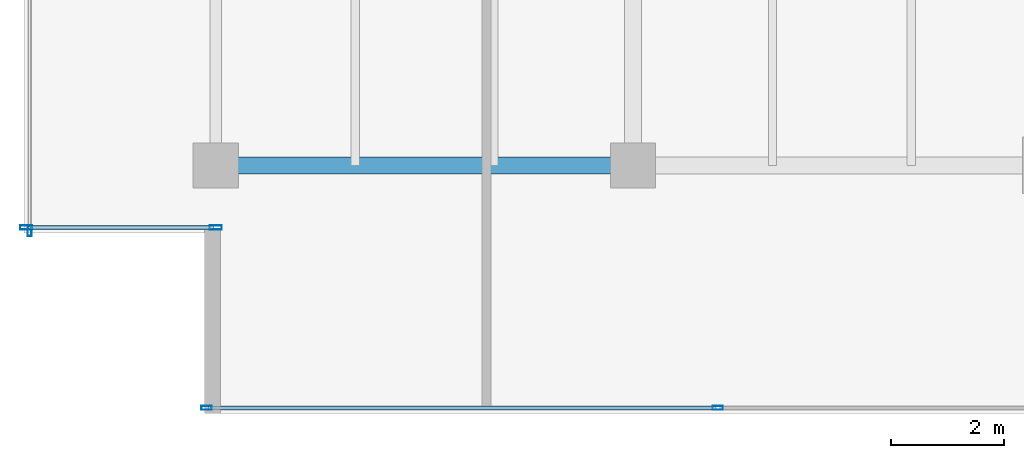
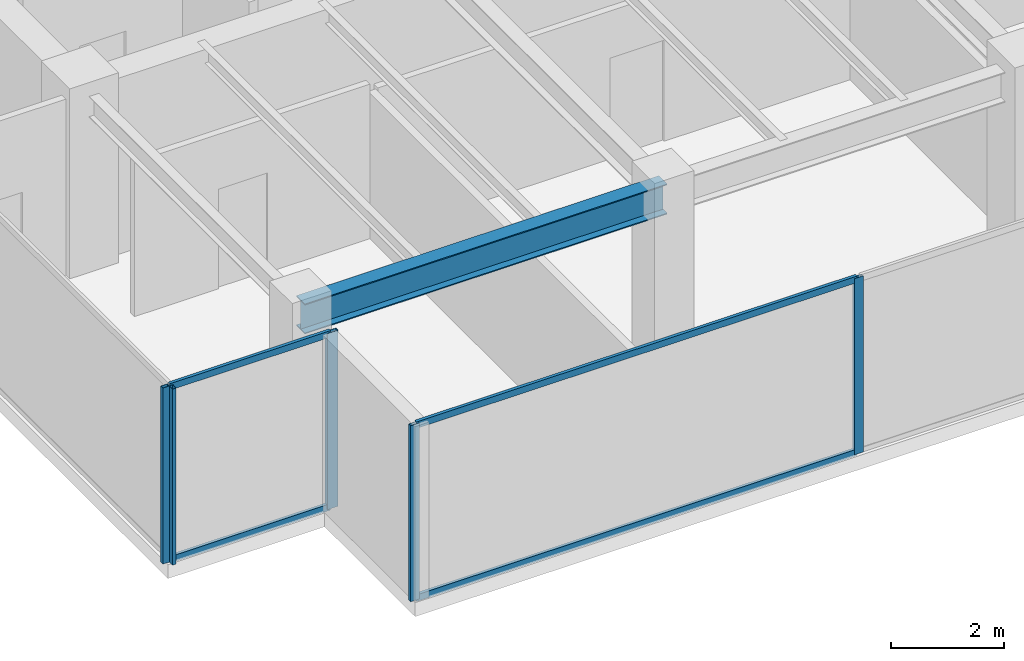
# One storey, part 5 of 33: 9 members, 1 beam, 3 elements without a shape of their own.
"""IFC4 building model written with IfcOpenShell, lengths in metres."""

from ifc_helpers import new_model, si_unit, direction, frame, origin, origin_2d, place, context, subcontext, project, spatial, hollow_rectangle, i_section, extrude, source, transform, mapped, material, layer, layer_set, material_profile, profile_set, type_object, type_shapes, element, aggregate, save


model = new_model("IFC4")

# Units and contexts
model_context = context("Model", 3, precision=1e-05, world=origin(), true_north=direction((0.0, 1.0)))
body_context = subcontext(model_context, "Body", "Model", "MODEL_VIEW")
ifc_project = project(units=[si_unit("LENGTHUNIT", "METRE"), si_unit("AREAUNIT", "SQUARE_METRE"), si_unit("VOLUMEUNIT", "CUBIC_METRE"), si_unit("PLANEANGLEUNIT", "RADIAN"), si_unit("MASSUNIT", "GRAM", prefix="KILO")], contexts=[model_context])

# Site, building, storey
site_placement = place(None, origin())
site = spatial("IfcSite", under=ifc_project, at=site_placement, CompositionType="ELEMENT")
building_placement = place(site_placement, origin())
building = spatial("IfcBuilding", under=site, at=building_placement, Name="Haelvirn Gate Laboratories", CompositionType="ELEMENT")
storey_placement = place(building_placement, frame((0.0, 0.0, 209.60009765625)))
storey = spatial("IfcBuildingStorey", under=building, at=storey_placement, Name="L50", CompositionType="ELEMENT", Elevation=209.60009765625)

# Beam
ifc_material_1 = material(Name="Steel SM355", Category="steel")
ifc_material_profile_1 = material_profile(ifc_material_1, i_section(OverallWidth=0.300048828125, OverallDepth=0.64990234375, WebThickness=0.012939453125, FlangeThickness=0.02197265625, at=origin_2d()), Name="H-650x300x13x22")
ifc_profile_set_1 = profile_set([ifc_material_profile_1], Name="Steel SM355")
beam_type = type_object("IfcBeamType", Name="BM-G-650", PredefinedType="BEAM", material=ifc_profile_set_1)
shared_shape_1 = source(origin(), body_context, "Body", "SweptSolid", [
    extrude(i_section(OverallWidth=0.300048828125, OverallDepth=0.64990234375, WebThickness=0.012939453125, FlangeThickness=0.02197265625, at=origin_2d()), origin(), (0.0, 0.0, 1.0), 7.400146484375),
])
type_shapes(beam_type, [shared_shape_1])
beam_placement = place(storey_placement, frame((7.39990234375, 7.0, 3.474853515625), z_axis=(1.0, 0.0, 0.0), x_axis=(0.0, 1.0, 0.0)))
element("IfcBeam", 1, at=beam_placement, inside=storey, type_object=beam_type, Name="L50 Primary Girder Y7.0 (7.4-14.8)", PredefinedType="BEAM", context=body_context, shape_type="MappedRepresentation", body=[
    mapped(shared_shape_1, transform((0.0, 0.0, 0.0), scale=1.0)),
])

# Curtain wall, members
ifc_material_2 = material(Name="Anodised bronze unitised aluminium & triple low-E glass", Category="aluminium")
ifc_layer_1 = layer(ifc_material_2, 0.181884765625, Name="CW-SYS-5")
ifc_layer_set_1 = layer_set([ifc_layer_1], Name="Anodised bronze unitised aluminium & triple low-E glass")
curtain_wall_type_1 = type_object("IfcCurtainWallType", Name="CW-SYS-5", PredefinedType="NOTDEFINED", material=ifc_layer_set_1)
curtain_wall_1_placement = place(storey_placement, origin())
curtain_wall_1 = element("IfcCurtainWall", 2, at=curtain_wall_1_placement, inside=storey, type_object=curtain_wall_type_1, Name="L50 Unitised Curtain Wall CW-L50-P0-E18-1", PredefinedType="NOTDEFINED")
ifc_material_3 = material(Name="Extruded aluminium 6063-T6 (anodised bronze)", Category="aluminium")
ifc_material_profile_2 = material_profile(ifc_material_3, hollow_rectangle(XDim=0.06494140625, YDim=0.139892578125, WallThickness=0.00390625, at=origin_2d()), Name="CWT-140x65x4")
ifc_profile_set_2 = profile_set([ifc_material_profile_2], Name="Extruded aluminium 6063-T6 (anodised bronze)")
member_type_1 = type_object("IfcMemberType", Name="CWT-T140", PredefinedType="USERDEFINED", material=ifc_profile_set_2)
shared_shape_2 = source(origin(), body_context, "Body", "SweptSolid", [
    extrude(hollow_rectangle(XDim=0.06494140625, YDim=0.139892578125, WallThickness=0.00390625, at=origin_2d()), origin(), (0.0, 0.0, 1.0), 3.280029296875),
])
member_1_placement = place(storey_placement, frame((4.080078125, 5.89990234375, 0.032470703125), z_axis=(1.0, 0.0, 0.0), x_axis=(0.0, 1.0, 0.0)))
member_1 = element("IfcMember", 3, at=member_1_placement, type_object=member_type_1, Name="CW5 transom 1.1", ObjectType="TRANSOM", PredefinedType="USERDEFINED", context=body_context, shape_type="MappedRepresentation", body=[
    mapped(shared_shape_2, transform((0.0, 0.0, 0.0), scale=1.0)),
])
member_2_placement = place(storey_placement, frame((4.080078125, 5.89990234375, 3.767333984375), z_axis=(1.0, 0.0, 0.0), x_axis=(0.0, 1.0, 0.0)))
member_2 = element("IfcMember", 4, at=member_2_placement, type_object=member_type_1, Name="CW5 transom 1.2", ObjectType="TRANSOM", PredefinedType="USERDEFINED", context=body_context, shape_type="MappedRepresentation", body=[
    mapped(shared_shape_2, transform((0.0, 0.0, 0.0), scale=1.0)),
])

ifc_layer_2 = layer(ifc_material_2, 0.176025390625, Name="CW-SYS-4")
ifc_layer_set_2 = layer_set([ifc_layer_2], Name="Anodised bronze unitised aluminium & triple low-E glass")
curtain_wall_type_2 = type_object("IfcCurtainWallType", Name="CW-SYS-4", PredefinedType="NOTDEFINED", material=ifc_layer_set_2)
curtain_wall_2_placement = place(storey_placement, origin())
curtain_wall_2 = element("IfcCurtainWall", 5, at=curtain_wall_2_placement, inside=storey, type_object=curtain_wall_type_2, Name="L50 Unitised Curtain Wall CW-L50-P0-E00-1", PredefinedType="NOTDEFINED")
shared_shape_3 = source(origin(), body_context, "Body", "SweptSolid", [
    extrude(hollow_rectangle(XDim=0.06494140625, YDim=0.139892578125, WallThickness=0.00390625, at=origin_2d()), origin(), (0.0, 0.0, 1.0), 8.994873046875),
])
type_shapes(member_type_1, [shared_shape_2, shared_shape_3])
member_3_placement = place(storey_placement, frame((7.27001953125, 2.699951171875, 0.032470703125), z_axis=(1.0, 0.0, 0.0), x_axis=(0.0, 1.0, 0.0)))
member_3 = element("IfcMember", 6, at=member_3_placement, type_object=member_type_1, Name="CW4 transom 1.1", ObjectType="TRANSOM", PredefinedType="USERDEFINED", context=body_context, shape_type="MappedRepresentation", body=[
    mapped(shared_shape_3, transform((0.0, 0.0, 0.0), scale=1.0)),
])
member_4_placement = place(storey_placement, frame((7.27001953125, 2.699951171875, 3.767333984375), z_axis=(1.0, 0.0, 0.0), x_axis=(0.0, 1.0, 0.0)))
member_4 = element("IfcMember", 7, at=member_4_placement, type_object=member_type_1, Name="CW4 transom 1.2", ObjectType="TRANSOM", PredefinedType="USERDEFINED", context=body_context, shape_type="MappedRepresentation", body=[
    mapped(shared_shape_3, transform((0.0, 0.0, 0.0), scale=1.0)),
])
ifc_material_profile_3 = material_profile(ifc_material_3, hollow_rectangle(XDim=0.070068359375, YDim=0.179931640625, WallThickness=0.0048828125, at=origin_2d()), Name="CWM-180x70x5")
ifc_profile_set_3 = profile_set([ifc_material_profile_3], Name="Extruded aluminium 6063-T6 (anodised bronze)")
member_type_2 = type_object("IfcMemberType", Name="CWM-T180", PredefinedType="MULLION", material=ifc_profile_set_3)
shared_shape_4 = source(origin(), body_context, "Body", "SweptSolid", [
    extrude(hollow_rectangle(XDim=0.070068359375, YDim=0.179931640625, WallThickness=0.0048828125, at=origin_2d()), origin(), (0.0, 0.0, 1.0), 3.7998046875),
])
type_shapes(member_type_2, [shared_shape_4])
member_5_placement = place(storey_placement, frame((7.235107421875, 2.699951171875, 0.0), z_axis=(0.0, 0.0, 1.0), x_axis=(0.0, 1.0, 0.0)))
member_5 = element("IfcMember", 8, at=member_5_placement, type_object=member_type_2, Name="CW4 mullion 1", PredefinedType="MULLION", context=body_context, shape_type="MappedRepresentation", body=[
    mapped(shared_shape_4, transform((0.0, 0.0, 0.0), scale=1.0)),
])
member_6_placement = place(storey_placement, frame((16.300048828125, 2.699951171875, 0.0), z_axis=(0.0, 0.0, 1.0), x_axis=(0.0, 1.0, 0.0)))
member_6 = element("IfcMember", 9, at=member_6_placement, type_object=member_type_2, Name="CW4 mullion 2", PredefinedType="MULLION", context=body_context, shape_type="MappedRepresentation", body=[
    mapped(shared_shape_4, transform((0.0, 0.0, 0.0), scale=1.0)),
])
aggregate(curtain_wall_2, [member_5, member_6, member_3, member_4])

# Curtain wall, member
curtain_wall_3_placement = place(storey_placement, origin())
curtain_wall_3 = element("IfcCurtainWall", 10, at=curtain_wall_3_placement, inside=storey, type_object=curtain_wall_type_2, Name="L50 Unitised Curtain Wall CW-L50-P0-E17", PredefinedType="NOTDEFINED")
member_7_placement = place(storey_placement, frame((4.10009765625, 5.8349609375, 0.0), z_axis=(0.0, 0.0, 1.0), x_axis=(1.0, 0.0, 0.0)))
member_7 = element("IfcMember", 11, at=member_7_placement, type_object=member_type_2, Name="CW4 mullion 3", PredefinedType="MULLION", context=body_context, shape_type="MappedRepresentation", body=[
    mapped(shared_shape_4, transform((0.0, 0.0, 0.0), scale=1.0)),
])
aggregate(curtain_wall_3, [member_7])

# Member
ifc_material_profile_4 = material_profile(ifc_material_3, hollow_rectangle(XDim=0.080078125, YDim=0.219970703125, WallThickness=0.006103515625, at=origin_2d()), Name="CWM-220x80x6")
ifc_profile_set_4 = profile_set([ifc_material_profile_4], Name="Extruded aluminium 6063-T6 (anodised bronze)")
member_type_3 = type_object("IfcMemberType", Name="CWM-T220", PredefinedType="MULLION", material=ifc_profile_set_4)
shared_shape_5 = source(origin(), body_context, "Body", "SweptSolid", [
    extrude(hollow_rectangle(XDim=0.080078125, YDim=0.219970703125, WallThickness=0.006103515625, at=origin_2d()), origin(), (0.0, 0.0, 1.0), 3.7998046875),
])
type_shapes(member_type_3, [shared_shape_5])
member_8_placement = place(storey_placement, frame((4.0400390625, 5.89990234375, 0.0), z_axis=(0.0, 0.0, 1.0), x_axis=(0.0, 1.0, 0.0)))
member_8 = element("IfcMember", 12, at=member_8_placement, type_object=member_type_3, Name="CW5 mullion 1", PredefinedType="MULLION", context=body_context, shape_type="MappedRepresentation", body=[
    mapped(shared_shape_5, transform((0.0, 0.0, 0.0), scale=1.0)),
])

member_9_placement = place(storey_placement, frame((7.39990234375, 5.89990234375, 0.0), z_axis=(0.0, 0.0, 1.0), x_axis=(0.0, 1.0, 0.0)))
member_9 = element("IfcMember", 13, at=member_9_placement, type_object=member_type_3, Name="CW5 mullion 2", PredefinedType="MULLION", context=body_context, shape_type="MappedRepresentation", body=[
    mapped(shared_shape_5, transform((0.0, 0.0, 0.0), scale=1.0)),
])

aggregate(curtain_wall_1, [member_8, member_9, member_1, member_2])

save(model, "model.ifc")
